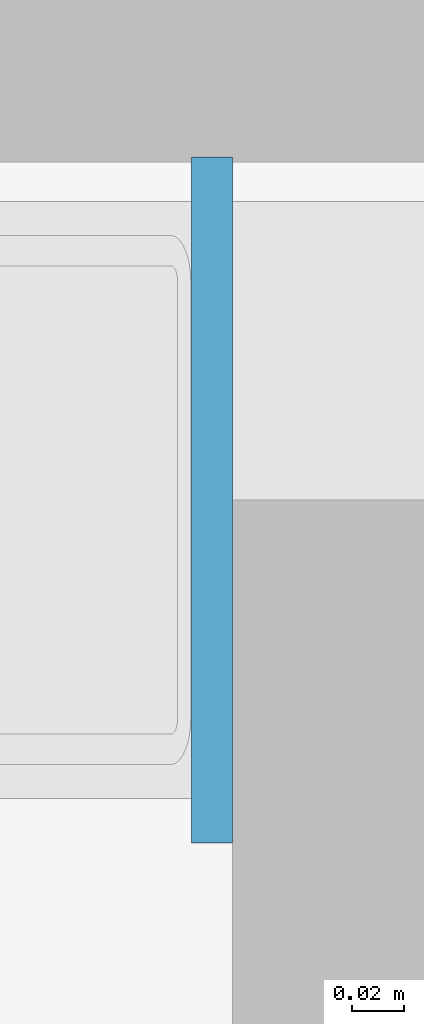
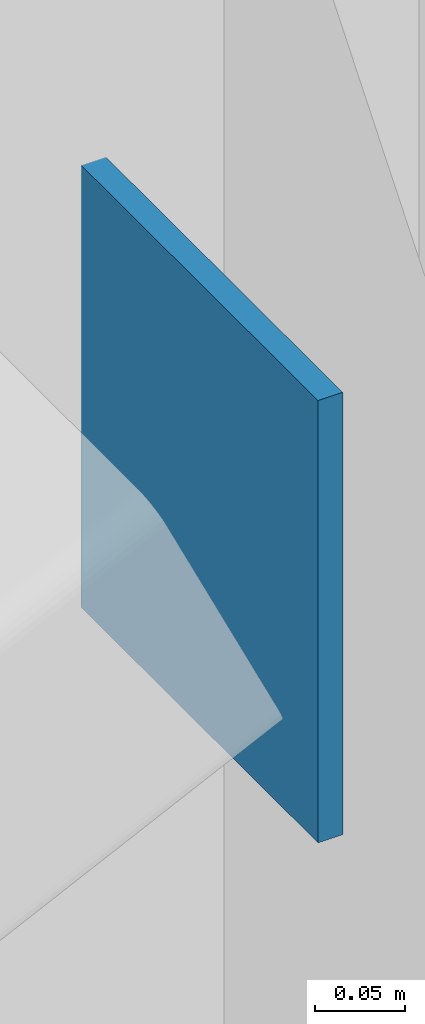
# One storey, part 68 of 116: 1 plate.
"""IFC4 building model written with IfcOpenShell, lengths in metres."""

from ifc_helpers import new_model, si_unit, direction, frame, origin, origin_2d, place, context, subcontext, project, spatial, rectangle, extrude, material, layer, layer_set, type_object, element, save


model = new_model("IFC4")

# Units and contexts
model_context = context("Model", 3, precision=1e-05, world=origin(), true_north=direction((0.0, 1.0)))
body_context = subcontext(model_context, "Body", "Model", "MODEL_VIEW")
ifc_project = project(units=[si_unit("LENGTHUNIT", "METRE"), si_unit("AREAUNIT", "SQUARE_METRE"), si_unit("VOLUMEUNIT", "CUBIC_METRE"), si_unit("PLANEANGLEUNIT", "RADIAN"), si_unit("MASSUNIT", "GRAM", prefix="KILO")], contexts=[model_context])

# Site, building, storey
site_placement = place(None, origin())
site = spatial("IfcSite", under=ifc_project, at=site_placement, CompositionType="ELEMENT")
building_placement = place(site_placement, origin())
building = spatial("IfcBuilding", under=site, at=building_placement, Name="Ljudholm Concert House", CompositionType="ELEMENT")
storey_placement = place(building_placement, frame((0.0, 0.0, 10.199951171875)))
storey = spatial("IfcBuildingStorey", under=building, at=storey_placement, Name="L02", CompositionType="ELEMENT", Elevation=10.199951171875)

# Plate
ifc_material = material(Name="Steel ASTM A36", Category="steel")
ifc_layer = layer(ifc_material, 0.015869140625)
ifc_layer_set = layer_set([ifc_layer], Name="Steel ASTM A36")
plate_type = type_object("IfcPlateType", Name="EMBED PLATE 16x263x300", PredefinedType="SHEET", material=ifc_layer_set)
plate_placement = place(storey_placement, frame((118.192138671875, 96.39990234375, 2.51416015625), z_axis=(0.0, 0.0, 1.0), x_axis=(1.0, 0.0, 0.0)))
element("IfcPlate", 1, at=plate_placement, inside=storey, type_object=plate_type, Name="Brace embed plate", PredefinedType="SHEET", context=body_context, shape_type="SweptSolid", body=[
    extrude(rectangle(XDim=0.015869140625, YDim=0.26318359375, at=origin_2d()), origin(), (0.0, 0.0, 1.0), 0.300048828125),
])

save(model, "model.ifc")
